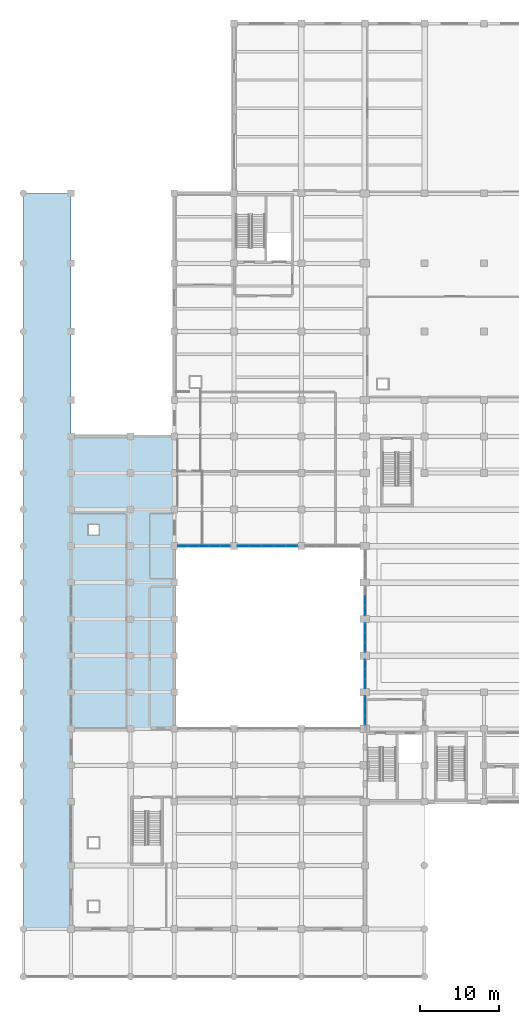
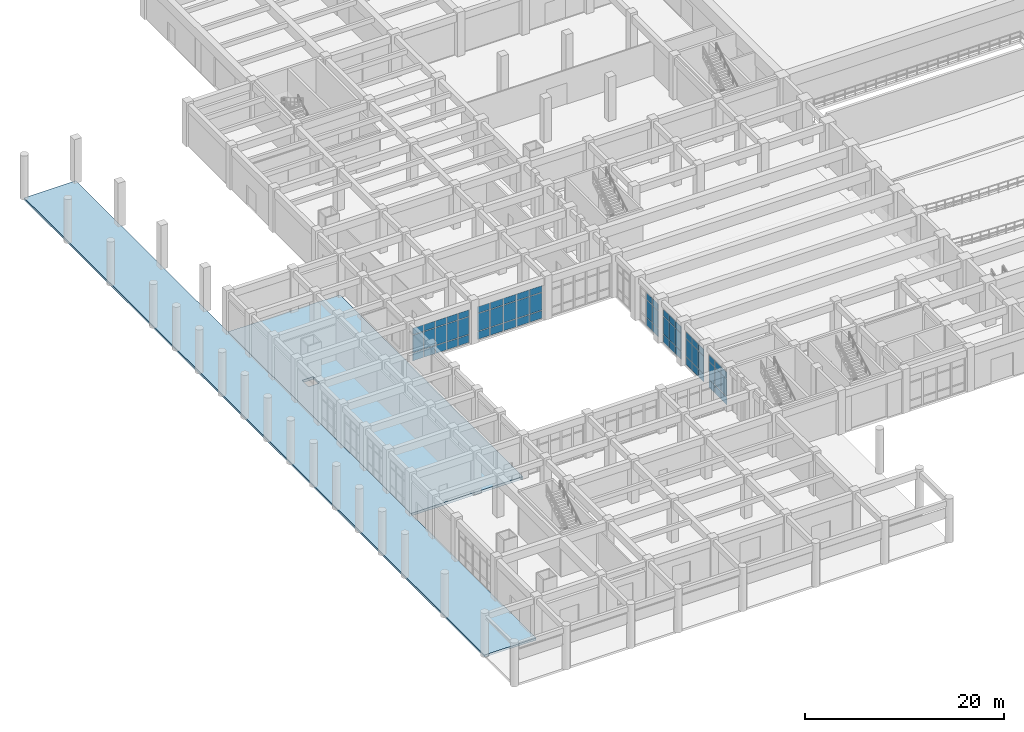
# One storey, part 54 of 84: 63 plates, 2 slabs, 6 elements without a shape of their own.
"""IFC4 building model written with IfcOpenShell, lengths in metres."""

from ifc_helpers import new_model, si_unit, direction, frame, origin, origin_2d, place, context, subcontext, project, spatial, polyline, rectangle, outline, extrude, material, layer, layer_set, type_object, element, aggregate, save


model = new_model("IFC4")

# Units and contexts
model_context = context("Model", 3, precision=1e-05, world=origin(), true_north=direction((0.0, 1.0)))
body_context = subcontext(model_context, "Body", "Model", "MODEL_VIEW")
ifc_project = project(units=[si_unit("LENGTHUNIT", "METRE"), si_unit("AREAUNIT", "SQUARE_METRE"), si_unit("VOLUMEUNIT", "CUBIC_METRE"), si_unit("PLANEANGLEUNIT", "RADIAN"), si_unit("MASSUNIT", "GRAM", prefix="KILO")], contexts=[model_context])

# Site, building, storey
site_placement = place(None, origin())
site = spatial("IfcSite", under=ifc_project, at=site_placement, CompositionType="ELEMENT")
building_placement = place(site_placement, origin())
building = spatial("IfcBuilding", under=site, at=building_placement, Name="Muzn Square Opera House", CompositionType="ELEMENT")
storey_placement = place(building_placement, origin())
storey = spatial("IfcBuildingStorey", under=building, at=storey_placement, Name="L00", CompositionType="ELEMENT", Elevation=0.0)

# Curtain wall, plates
ifc_material_1 = material(Name="Low-E laminated acoustic double glazing", Category="glass")
ifc_layer_1 = layer(ifc_material_1, 0.159912109375, Name="Low-E laminated acoustic double glazing", Category="glass")
ifc_layer_set_1 = layer_set([ifc_layer_1], Name="Low-E laminated acoustic double glazing")
curtain_wall_type_1 = type_object("IfcCurtainWallType", Name="Glazed Curtain Wall WestVaultCourt 3700x4150", PredefinedType="USERDEFINED", material=ifc_layer_set_1)
curtain_wall_1_placement = place(storey_placement, origin())
curtain_wall_1 = element("IfcCurtainWall", 1, at=curtain_wall_1_placement, inside=storey, type_object=curtain_wall_type_1, Name="Glazed Curtain Wall CW-L00-029", ObjectType="GLAZED CURTAIN WALL", PredefinedType="USERDEFINED")
ifc_layer_2 = layer(ifc_material_1, 0.035888671875, Name="Low-E laminated acoustic double glazing", Category="glass")
ifc_layer_set_2 = layer_set([ifc_layer_2], Name="Low-E laminated acoustic double glazing")
plate_type = type_object("IfcPlateType", Name="Curtain Wall Solar Glazed Panel 36mm", PredefinedType="CURTAIN_PANEL", material=ifc_layer_set_2)
plate_1_placement = place(storey_placement, frame((43.0, 32.2841796875, 0.06982421875), z_axis=(0.0, 0.0, 1.0), x_axis=(0.0, 1.0, 0.0)))
plate_1 = element("IfcPlate", 2, at=plate_1_placement, type_object=plate_type, Name="CW-WVC-37x41 panel 1.1", PredefinedType="CURTAIN_PANEL", context=body_context, shape_type="SweptSolid", body=[
    extrude(rectangle(XDim=1.12841796875, YDim=0.035888671875, at=origin_2d()), origin(), (0.0, 0.0, 1.0), 0.945068359375),
])
plate_2_placement = place(storey_placement, frame((43.0, 32.2841796875, 1.0849609375), z_axis=(0.0, 0.0, 1.0), x_axis=(0.0, 1.0, 0.0)))
plate_2 = element("IfcPlate", 3, at=plate_2_placement, type_object=plate_type, Name="CW-WVC-37x41 panel 1.2", PredefinedType="CURTAIN_PANEL", context=body_context, shape_type="SweptSolid", body=[
    extrude(rectangle(XDim=1.12841796875, YDim=0.035888671875, at=origin_2d()), origin(), (0.0, 0.0, 1.0), 2.1298828125),
])
plate_3_placement = place(storey_placement, frame((43.0, 32.2841796875, 3.28515625), z_axis=(0.0, 0.0, 1.0), x_axis=(0.0, 1.0, 0.0)))
plate_3 = element("IfcPlate", 4, at=plate_3_placement, type_object=plate_type, Name="CW-WVC-37x41 panel 1.3", PredefinedType="CURTAIN_PANEL", context=body_context, shape_type="SweptSolid", body=[
    extrude(rectangle(XDim=1.12841796875, YDim=0.035888671875, at=origin_2d()), origin(), (0.0, 0.0, 1.0), 0.794921875),
])
plate_4_placement = place(storey_placement, frame((43.0, 33.5, 0.06982421875), z_axis=(0.0, 0.0, 1.0), x_axis=(0.0, 1.0, 0.0)))
plate_4 = element("IfcPlate", 5, at=plate_4_placement, type_object=plate_type, Name="CW-WVC-37x41 panel 2.1", PredefinedType="CURTAIN_PANEL", context=body_context, shape_type="SweptSolid", body=[
    extrude(rectangle(XDim=1.163330078125, YDim=0.035888671875, at=origin_2d()), origin(), (0.0, 0.0, 1.0), 0.945068359375),
])
plate_5_placement = place(storey_placement, frame((43.0, 33.5, 1.0849609375), z_axis=(0.0, 0.0, 1.0), x_axis=(0.0, 1.0, 0.0)))
plate_5 = element("IfcPlate", 6, at=plate_5_placement, type_object=plate_type, Name="CW-WVC-37x41 panel 2.2", PredefinedType="CURTAIN_PANEL", context=body_context, shape_type="SweptSolid", body=[
    extrude(rectangle(XDim=1.163330078125, YDim=0.035888671875, at=origin_2d()), origin(), (0.0, 0.0, 1.0), 2.1298828125),
])
plate_6_placement = place(storey_placement, frame((43.0, 33.5, 3.28515625), z_axis=(0.0, 0.0, 1.0), x_axis=(0.0, 1.0, 0.0)))
plate_6 = element("IfcPlate", 7, at=plate_6_placement, type_object=plate_type, Name="CW-WVC-37x41 panel 2.3", PredefinedType="CURTAIN_PANEL", context=body_context, shape_type="SweptSolid", body=[
    extrude(rectangle(XDim=1.163330078125, YDim=0.035888671875, at=origin_2d()), origin(), (0.0, 0.0, 1.0), 0.794921875),
])
plate_7_placement = place(storey_placement, frame((43.0, 34.7158203125, 0.06982421875), z_axis=(0.0, 0.0, 1.0), x_axis=(0.0, 1.0, 0.0)))
plate_7 = element("IfcPlate", 8, at=plate_7_placement, type_object=plate_type, Name="CW-WVC-37x41 panel 3.1", PredefinedType="CURTAIN_PANEL", context=body_context, shape_type="SweptSolid", body=[
    extrude(rectangle(XDim=1.12841796875, YDim=0.035888671875, at=origin_2d()), origin(), (0.0, 0.0, 1.0), 0.945068359375),
])
plate_8_placement = place(storey_placement, frame((43.0, 34.7158203125, 1.0849609375), z_axis=(0.0, 0.0, 1.0), x_axis=(0.0, 1.0, 0.0)))
plate_8 = element("IfcPlate", 9, at=plate_8_placement, type_object=plate_type, Name="CW-WVC-37x41 panel 3.2", PredefinedType="CURTAIN_PANEL", context=body_context, shape_type="SweptSolid", body=[
    extrude(rectangle(XDim=1.12841796875, YDim=0.035888671875, at=origin_2d()), origin(), (0.0, 0.0, 1.0), 2.1298828125),
])
plate_9_placement = place(storey_placement, frame((43.0, 34.7158203125, 3.28515625), z_axis=(0.0, 0.0, 1.0), x_axis=(0.0, 1.0, 0.0)))
plate_9 = element("IfcPlate", 10, at=plate_9_placement, type_object=plate_type, Name="CW-WVC-37x41 panel 3.3", PredefinedType="CURTAIN_PANEL", context=body_context, shape_type="SweptSolid", body=[
    extrude(rectangle(XDim=1.12841796875, YDim=0.035888671875, at=origin_2d()), origin(), (0.0, 0.0, 1.0), 0.794921875),
])
aggregate(curtain_wall_1, [plate_1, plate_2, plate_3, plate_4, plate_5, plate_6, plate_7, plate_8, plate_9])

curtain_wall_2_placement = place(storey_placement, origin())
curtain_wall_2 = element("IfcCurtainWall", 11, at=curtain_wall_2_placement, inside=storey, type_object=curtain_wall_type_1, Name="Glazed Curtain Wall CW-L00-031", ObjectType="GLAZED CURTAIN WALL", PredefinedType="USERDEFINED")
plate_10_placement = place(storey_placement, frame((43.0, 36.88427734375, 0.06982421875), z_axis=(0.0, 0.0, 1.0), x_axis=(0.0, 1.0, 0.0)))
plate_10 = element("IfcPlate", 12, at=plate_10_placement, type_object=plate_type, Name="CW-WVC-37x41 panel 1.1", PredefinedType="CURTAIN_PANEL", context=body_context, shape_type="SweptSolid", body=[
    extrude(rectangle(XDim=1.12841796875, YDim=0.035888671875, at=origin_2d()), origin(), (0.0, 0.0, 1.0), 0.945068359375),
])
plate_11_placement = place(storey_placement, frame((43.0, 36.88427734375, 1.0849609375), z_axis=(0.0, 0.0, 1.0), x_axis=(0.0, 1.0, 0.0)))
plate_11 = element("IfcPlate", 13, at=plate_11_placement, type_object=plate_type, Name="CW-WVC-37x41 panel 1.2", PredefinedType="CURTAIN_PANEL", context=body_context, shape_type="SweptSolid", body=[
    extrude(rectangle(XDim=1.12841796875, YDim=0.035888671875, at=origin_2d()), origin(), (0.0, 0.0, 1.0), 2.1298828125),
])
plate_12_placement = place(storey_placement, frame((43.0, 36.88427734375, 3.28515625), z_axis=(0.0, 0.0, 1.0), x_axis=(0.0, 1.0, 0.0)))
plate_12 = element("IfcPlate", 14, at=plate_12_placement, type_object=plate_type, Name="CW-WVC-37x41 panel 1.3", PredefinedType="CURTAIN_PANEL", context=body_context, shape_type="SweptSolid", body=[
    extrude(rectangle(XDim=1.12841796875, YDim=0.035888671875, at=origin_2d()), origin(), (0.0, 0.0, 1.0), 0.794921875),
])
plate_13_placement = place(storey_placement, frame((43.0, 38.10009765625, 0.06982421875), z_axis=(0.0, 0.0, 1.0), x_axis=(0.0, 1.0, 0.0)))
plate_13 = element("IfcPlate", 15, at=plate_13_placement, type_object=plate_type, Name="CW-WVC-37x41 panel 2.1", PredefinedType="CURTAIN_PANEL", context=body_context, shape_type="SweptSolid", body=[
    extrude(rectangle(XDim=1.163330078125, YDim=0.035888671875, at=origin_2d()), origin(), (0.0, 0.0, 1.0), 0.945068359375),
])
plate_14_placement = place(storey_placement, frame((43.0, 38.10009765625, 1.0849609375), z_axis=(0.0, 0.0, 1.0), x_axis=(0.0, 1.0, 0.0)))
plate_14 = element("IfcPlate", 16, at=plate_14_placement, type_object=plate_type, Name="CW-WVC-37x41 panel 2.2", PredefinedType="CURTAIN_PANEL", context=body_context, shape_type="SweptSolid", body=[
    extrude(rectangle(XDim=1.163330078125, YDim=0.035888671875, at=origin_2d()), origin(), (0.0, 0.0, 1.0), 2.1298828125),
])
plate_15_placement = place(storey_placement, frame((43.0, 38.10009765625, 3.28515625), z_axis=(0.0, 0.0, 1.0), x_axis=(0.0, 1.0, 0.0)))
plate_15 = element("IfcPlate", 17, at=plate_15_placement, type_object=plate_type, Name="CW-WVC-37x41 panel 2.3", PredefinedType="CURTAIN_PANEL", context=body_context, shape_type="SweptSolid", body=[
    extrude(rectangle(XDim=1.163330078125, YDim=0.035888671875, at=origin_2d()), origin(), (0.0, 0.0, 1.0), 0.794921875),
])
plate_16_placement = place(storey_placement, frame((43.0, 39.31591796875, 0.06982421875), z_axis=(0.0, 0.0, 1.0), x_axis=(0.0, 1.0, 0.0)))
plate_16 = element("IfcPlate", 18, at=plate_16_placement, type_object=plate_type, Name="CW-WVC-37x41 panel 3.1", PredefinedType="CURTAIN_PANEL", context=body_context, shape_type="SweptSolid", body=[
    extrude(rectangle(XDim=1.12841796875, YDim=0.035888671875, at=origin_2d()), origin(), (0.0, 0.0, 1.0), 0.945068359375),
])
plate_17_placement = place(storey_placement, frame((43.0, 39.31591796875, 1.0849609375), z_axis=(0.0, 0.0, 1.0), x_axis=(0.0, 1.0, 0.0)))
plate_17 = element("IfcPlate", 19, at=plate_17_placement, type_object=plate_type, Name="CW-WVC-37x41 panel 3.2", PredefinedType="CURTAIN_PANEL", context=body_context, shape_type="SweptSolid", body=[
    extrude(rectangle(XDim=1.12841796875, YDim=0.035888671875, at=origin_2d()), origin(), (0.0, 0.0, 1.0), 2.1298828125),
])
plate_18_placement = place(storey_placement, frame((43.0, 39.31591796875, 3.28515625), z_axis=(0.0, 0.0, 1.0), x_axis=(0.0, 1.0, 0.0)))
plate_18 = element("IfcPlate", 20, at=plate_18_placement, type_object=plate_type, Name="CW-WVC-37x41 panel 3.3", PredefinedType="CURTAIN_PANEL", context=body_context, shape_type="SweptSolid", body=[
    extrude(rectangle(XDim=1.12841796875, YDim=0.035888671875, at=origin_2d()), origin(), (0.0, 0.0, 1.0), 0.794921875),
])
aggregate(curtain_wall_2, [plate_10, plate_11, plate_12, plate_13, plate_14, plate_15, plate_16, plate_17, plate_18])

curtain_wall_3_placement = place(storey_placement, origin())
curtain_wall_3 = element("IfcCurtainWall", 21, at=curtain_wall_3_placement, inside=storey, type_object=curtain_wall_type_1, Name="Glazed Curtain Wall CW-L00-033", ObjectType="GLAZED CURTAIN WALL", PredefinedType="USERDEFINED")
plate_19_placement = place(storey_placement, frame((43.0, 41.484130859375, 0.06982421875), z_axis=(0.0, 0.0, 1.0), x_axis=(0.0, 1.0, 0.0)))
plate_19 = element("IfcPlate", 22, at=plate_19_placement, type_object=plate_type, Name="CW-WVC-37x41 panel 1.1", PredefinedType="CURTAIN_PANEL", context=body_context, shape_type="SweptSolid", body=[
    extrude(rectangle(XDim=1.12841796875, YDim=0.035888671875, at=origin_2d()), origin(), (0.0, 0.0, 1.0), 0.945068359375),
])
plate_20_placement = place(storey_placement, frame((43.0, 41.484130859375, 1.0849609375), z_axis=(0.0, 0.0, 1.0), x_axis=(0.0, 1.0, 0.0)))
plate_20 = element("IfcPlate", 23, at=plate_20_placement, type_object=plate_type, Name="CW-WVC-37x41 panel 1.2", PredefinedType="CURTAIN_PANEL", context=body_context, shape_type="SweptSolid", body=[
    extrude(rectangle(XDim=1.12841796875, YDim=0.035888671875, at=origin_2d()), origin(), (0.0, 0.0, 1.0), 2.1298828125),
])
plate_21_placement = place(storey_placement, frame((43.0, 41.484130859375, 3.28515625), z_axis=(0.0, 0.0, 1.0), x_axis=(0.0, 1.0, 0.0)))
plate_21 = element("IfcPlate", 24, at=plate_21_placement, type_object=plate_type, Name="CW-WVC-37x41 panel 1.3", PredefinedType="CURTAIN_PANEL", context=body_context, shape_type="SweptSolid", body=[
    extrude(rectangle(XDim=1.12841796875, YDim=0.035888671875, at=origin_2d()), origin(), (0.0, 0.0, 1.0), 0.794921875),
])
plate_22_placement = place(storey_placement, frame((43.0, 42.699951171875, 0.06982421875), z_axis=(0.0, 0.0, 1.0), x_axis=(0.0, 1.0, 0.0)))
plate_22 = element("IfcPlate", 25, at=plate_22_placement, type_object=plate_type, Name="CW-WVC-37x41 panel 2.1", PredefinedType="CURTAIN_PANEL", context=body_context, shape_type="SweptSolid", body=[
    extrude(rectangle(XDim=1.163330078125, YDim=0.035888671875, at=origin_2d()), origin(), (0.0, 0.0, 1.0), 0.945068359375),
])
plate_23_placement = place(storey_placement, frame((43.0, 42.699951171875, 1.0849609375), z_axis=(0.0, 0.0, 1.0), x_axis=(0.0, 1.0, 0.0)))
plate_23 = element("IfcPlate", 26, at=plate_23_placement, type_object=plate_type, Name="CW-WVC-37x41 panel 2.2", PredefinedType="CURTAIN_PANEL", context=body_context, shape_type="SweptSolid", body=[
    extrude(rectangle(XDim=1.163330078125, YDim=0.035888671875, at=origin_2d()), origin(), (0.0, 0.0, 1.0), 2.1298828125),
])
plate_24_placement = place(storey_placement, frame((43.0, 42.699951171875, 3.28515625), z_axis=(0.0, 0.0, 1.0), x_axis=(0.0, 1.0, 0.0)))
plate_24 = element("IfcPlate", 27, at=plate_24_placement, type_object=plate_type, Name="CW-WVC-37x41 panel 2.3", PredefinedType="CURTAIN_PANEL", context=body_context, shape_type="SweptSolid", body=[
    extrude(rectangle(XDim=1.163330078125, YDim=0.035888671875, at=origin_2d()), origin(), (0.0, 0.0, 1.0), 0.794921875),
])
plate_25_placement = place(storey_placement, frame((43.0, 43.915771484375, 0.06982421875), z_axis=(0.0, 0.0, 1.0), x_axis=(0.0, 1.0, 0.0)))
plate_25 = element("IfcPlate", 28, at=plate_25_placement, type_object=plate_type, Name="CW-WVC-37x41 panel 3.1", PredefinedType="CURTAIN_PANEL", context=body_context, shape_type="SweptSolid", body=[
    extrude(rectangle(XDim=1.12841796875, YDim=0.035888671875, at=origin_2d()), origin(), (0.0, 0.0, 1.0), 0.945068359375),
])
plate_26_placement = place(storey_placement, frame((43.0, 43.915771484375, 1.0849609375), z_axis=(0.0, 0.0, 1.0), x_axis=(0.0, 1.0, 0.0)))
plate_26 = element("IfcPlate", 29, at=plate_26_placement, type_object=plate_type, Name="CW-WVC-37x41 panel 3.2", PredefinedType="CURTAIN_PANEL", context=body_context, shape_type="SweptSolid", body=[
    extrude(rectangle(XDim=1.12841796875, YDim=0.035888671875, at=origin_2d()), origin(), (0.0, 0.0, 1.0), 2.1298828125),
])
plate_27_placement = place(storey_placement, frame((43.0, 43.915771484375, 3.28515625), z_axis=(0.0, 0.0, 1.0), x_axis=(0.0, 1.0, 0.0)))
plate_27 = element("IfcPlate", 30, at=plate_27_placement, type_object=plate_type, Name="CW-WVC-37x41 panel 3.3", PredefinedType="CURTAIN_PANEL", context=body_context, shape_type="SweptSolid", body=[
    extrude(rectangle(XDim=1.12841796875, YDim=0.035888671875, at=origin_2d()), origin(), (0.0, 0.0, 1.0), 0.794921875),
])
aggregate(curtain_wall_3, [plate_19, plate_20, plate_21, plate_22, plate_23, plate_24, plate_25, plate_26, plate_27])

curtain_wall_4_placement = place(storey_placement, origin())
curtain_wall_4 = element("IfcCurtainWall", 31, at=curtain_wall_4_placement, inside=storey, type_object=curtain_wall_type_1, Name="Glazed Curtain Wall CW-L00-035", ObjectType="GLAZED CURTAIN WALL", PredefinedType="USERDEFINED")
plate_28_placement = place(storey_placement, frame((43.0, 46.084228515625, 0.06982421875), z_axis=(0.0, 0.0, 1.0), x_axis=(0.0, 1.0, 0.0)))
plate_28 = element("IfcPlate", 32, at=plate_28_placement, type_object=plate_type, Name="CW-WVC-37x41 panel 1.1", PredefinedType="CURTAIN_PANEL", context=body_context, shape_type="SweptSolid", body=[
    extrude(rectangle(XDim=1.12841796875, YDim=0.035888671875, at=origin_2d()), origin(), (0.0, 0.0, 1.0), 0.945068359375),
])
plate_29_placement = place(storey_placement, frame((43.0, 46.084228515625, 1.0849609375), z_axis=(0.0, 0.0, 1.0), x_axis=(0.0, 1.0, 0.0)))
plate_29 = element("IfcPlate", 33, at=plate_29_placement, type_object=plate_type, Name="CW-WVC-37x41 panel 1.2", PredefinedType="CURTAIN_PANEL", context=body_context, shape_type="SweptSolid", body=[
    extrude(rectangle(XDim=1.12841796875, YDim=0.035888671875, at=origin_2d()), origin(), (0.0, 0.0, 1.0), 2.1298828125),
])
plate_30_placement = place(storey_placement, frame((43.0, 46.084228515625, 3.28515625), z_axis=(0.0, 0.0, 1.0), x_axis=(0.0, 1.0, 0.0)))
plate_30 = element("IfcPlate", 34, at=plate_30_placement, type_object=plate_type, Name="CW-WVC-37x41 panel 1.3", PredefinedType="CURTAIN_PANEL", context=body_context, shape_type="SweptSolid", body=[
    extrude(rectangle(XDim=1.12841796875, YDim=0.035888671875, at=origin_2d()), origin(), (0.0, 0.0, 1.0), 0.794921875),
])
plate_31_placement = place(storey_placement, frame((43.0, 47.300048828125, 0.06982421875), z_axis=(0.0, 0.0, 1.0), x_axis=(0.0, 1.0, 0.0)))
plate_31 = element("IfcPlate", 35, at=plate_31_placement, type_object=plate_type, Name="CW-WVC-37x41 panel 2.1", PredefinedType="CURTAIN_PANEL", context=body_context, shape_type="SweptSolid", body=[
    extrude(rectangle(XDim=1.163330078125, YDim=0.035888671875, at=origin_2d()), origin(), (0.0, 0.0, 1.0), 0.945068359375),
])
plate_32_placement = place(storey_placement, frame((43.0, 47.300048828125, 1.0849609375), z_axis=(0.0, 0.0, 1.0), x_axis=(0.0, 1.0, 0.0)))
plate_32 = element("IfcPlate", 36, at=plate_32_placement, type_object=plate_type, Name="CW-WVC-37x41 panel 2.2", PredefinedType="CURTAIN_PANEL", context=body_context, shape_type="SweptSolid", body=[
    extrude(rectangle(XDim=1.163330078125, YDim=0.035888671875, at=origin_2d()), origin(), (0.0, 0.0, 1.0), 2.1298828125),
])
plate_33_placement = place(storey_placement, frame((43.0, 47.300048828125, 3.28515625), z_axis=(0.0, 0.0, 1.0), x_axis=(0.0, 1.0, 0.0)))
plate_33 = element("IfcPlate", 37, at=plate_33_placement, type_object=plate_type, Name="CW-WVC-37x41 panel 2.3", PredefinedType="CURTAIN_PANEL", context=body_context, shape_type="SweptSolid", body=[
    extrude(rectangle(XDim=1.163330078125, YDim=0.035888671875, at=origin_2d()), origin(), (0.0, 0.0, 1.0), 0.794921875),
])
aggregate(curtain_wall_4, [plate_28, plate_29, plate_30, plate_31, plate_32, plate_33])

ifc_layer_3 = layer(ifc_material_1, 0.159912109375, Name="Low-E laminated acoustic double glazing", Category="glass")
ifc_layer_set_3 = layer_set([ifc_layer_3], Name="Low-E laminated acoustic double glazing")
curtain_wall_type_2 = type_object("IfcCurtainWallType", Name="Glazed Curtain Wall WestCloisterN 6650x4150", PredefinedType="USERDEFINED", material=ifc_layer_set_3)
curtain_wall_5_placement = place(storey_placement, origin())
curtain_wall_5 = element("IfcCurtainWall", 38, at=curtain_wall_5_placement, inside=storey, type_object=curtain_wall_type_2, Name="Glazed Curtain Wall CW-L00-070", ObjectType="GLAZED CURTAIN WALL", PredefinedType="USERDEFINED")
plate_34_placement = place(storey_placement, frame((20.107421875, 54.199951171875, 0.06982421875), z_axis=(0.0, 0.0, 1.0), x_axis=(1.0, 0.0, 0.0)))
plate_34 = element("IfcPlate", 39, at=plate_34_placement, type_object=plate_type, Name="CW-WCN-66x41 panel 1.1", PredefinedType="CURTAIN_PANEL", context=body_context, shape_type="SweptSolid", body=[
    extrude(rectangle(XDim=1.22509765625, YDim=0.035888671875, at=origin_2d()), origin(), (0.0, 0.0, 1.0), 0.945068359375),
])
plate_35_placement = place(storey_placement, frame((20.107421875, 54.199951171875, 1.0849609375), z_axis=(0.0, 0.0, 1.0), x_axis=(1.0, 0.0, 0.0)))
plate_35 = element("IfcPlate", 40, at=plate_35_placement, type_object=plate_type, Name="CW-WCN-66x41 panel 1.2", PredefinedType="CURTAIN_PANEL", context=body_context, shape_type="SweptSolid", body=[
    extrude(rectangle(XDim=1.22509765625, YDim=0.035888671875, at=origin_2d()), origin(), (0.0, 0.0, 1.0), 2.1298828125),
])
plate_36_placement = place(storey_placement, frame((20.107421875, 54.199951171875, 3.28515625), z_axis=(0.0, 0.0, 1.0), x_axis=(1.0, 0.0, 0.0)))
plate_36 = element("IfcPlate", 41, at=plate_36_placement, type_object=plate_type, Name="CW-WCN-66x41 panel 1.3", PredefinedType="CURTAIN_PANEL", context=body_context, shape_type="SweptSolid", body=[
    extrude(rectangle(XDim=1.22509765625, YDim=0.035888671875, at=origin_2d()), origin(), (0.0, 0.0, 1.0), 0.794921875),
])
plate_37_placement = place(storey_placement, frame((21.419921875, 54.199951171875, 0.06982421875), z_axis=(0.0, 0.0, 1.0), x_axis=(1.0, 0.0, 0.0)))
plate_37 = element("IfcPlate", 42, at=plate_37_placement, type_object=plate_type, Name="CW-WCN-66x41 panel 2.1", PredefinedType="CURTAIN_PANEL", context=body_context, shape_type="SweptSolid", body=[
    extrude(rectangle(XDim=1.260009765625, YDim=0.035888671875, at=origin_2d()), origin(), (0.0, 0.0, 1.0), 0.945068359375),
])
plate_38_placement = place(storey_placement, frame((21.419921875, 54.199951171875, 1.0849609375), z_axis=(0.0, 0.0, 1.0), x_axis=(1.0, 0.0, 0.0)))
plate_38 = element("IfcPlate", 43, at=plate_38_placement, type_object=plate_type, Name="CW-WCN-66x41 panel 2.2", PredefinedType="CURTAIN_PANEL", context=body_context, shape_type="SweptSolid", body=[
    extrude(rectangle(XDim=1.260009765625, YDim=0.035888671875, at=origin_2d()), origin(), (0.0, 0.0, 1.0), 2.1298828125),
])
plate_39_placement = place(storey_placement, frame((21.419921875, 54.199951171875, 3.28515625), z_axis=(0.0, 0.0, 1.0), x_axis=(1.0, 0.0, 0.0)))
plate_39 = element("IfcPlate", 44, at=plate_39_placement, type_object=plate_type, Name="CW-WCN-66x41 panel 2.3", PredefinedType="CURTAIN_PANEL", context=body_context, shape_type="SweptSolid", body=[
    extrude(rectangle(XDim=1.260009765625, YDim=0.035888671875, at=origin_2d()), origin(), (0.0, 0.0, 1.0), 0.794921875),
])
plate_40_placement = place(storey_placement, frame((22.75, 54.199951171875, 0.06982421875), z_axis=(0.0, 0.0, 1.0), x_axis=(1.0, 0.0, 0.0)))
plate_40 = element("IfcPlate", 45, at=plate_40_placement, type_object=plate_type, Name="CW-WCN-66x41 panel 3.1", PredefinedType="CURTAIN_PANEL", context=body_context, shape_type="SweptSolid", body=[
    extrude(rectangle(XDim=1.260009765625, YDim=0.035888671875, at=origin_2d()), origin(), (0.0, 0.0, 1.0), 0.945068359375),
])
plate_41_placement = place(storey_placement, frame((22.75, 54.199951171875, 1.0849609375), z_axis=(0.0, 0.0, 1.0), x_axis=(1.0, 0.0, 0.0)))
plate_41 = element("IfcPlate", 46, at=plate_41_placement, type_object=plate_type, Name="CW-WCN-66x41 panel 3.2", PredefinedType="CURTAIN_PANEL", context=body_context, shape_type="SweptSolid", body=[
    extrude(rectangle(XDim=1.260009765625, YDim=0.035888671875, at=origin_2d()), origin(), (0.0, 0.0, 1.0), 2.1298828125),
])
plate_42_placement = place(storey_placement, frame((22.75, 54.199951171875, 3.28515625), z_axis=(0.0, 0.0, 1.0), x_axis=(1.0, 0.0, 0.0)))
plate_42 = element("IfcPlate", 47, at=plate_42_placement, type_object=plate_type, Name="CW-WCN-66x41 panel 3.3", PredefinedType="CURTAIN_PANEL", context=body_context, shape_type="SweptSolid", body=[
    extrude(rectangle(XDim=1.260009765625, YDim=0.035888671875, at=origin_2d()), origin(), (0.0, 0.0, 1.0), 0.794921875),
])
plate_43_placement = place(storey_placement, frame((24.080078125, 54.199951171875, 0.06982421875), z_axis=(0.0, 0.0, 1.0), x_axis=(1.0, 0.0, 0.0)))
plate_43 = element("IfcPlate", 48, at=plate_43_placement, type_object=plate_type, Name="CW-WCN-66x41 panel 4.1", PredefinedType="CURTAIN_PANEL", context=body_context, shape_type="SweptSolid", body=[
    extrude(rectangle(XDim=1.260009765625, YDim=0.035888671875, at=origin_2d()), origin(), (0.0, 0.0, 1.0), 0.945068359375),
])
plate_44_placement = place(storey_placement, frame((24.080078125, 54.199951171875, 1.0849609375), z_axis=(0.0, 0.0, 1.0), x_axis=(1.0, 0.0, 0.0)))
plate_44 = element("IfcPlate", 49, at=plate_44_placement, type_object=plate_type, Name="CW-WCN-66x41 panel 4.2", PredefinedType="CURTAIN_PANEL", context=body_context, shape_type="SweptSolid", body=[
    extrude(rectangle(XDim=1.260009765625, YDim=0.035888671875, at=origin_2d()), origin(), (0.0, 0.0, 1.0), 2.1298828125),
])
plate_45_placement = place(storey_placement, frame((24.080078125, 54.199951171875, 3.28515625), z_axis=(0.0, 0.0, 1.0), x_axis=(1.0, 0.0, 0.0)))
plate_45 = element("IfcPlate", 50, at=plate_45_placement, type_object=plate_type, Name="CW-WCN-66x41 panel 4.3", PredefinedType="CURTAIN_PANEL", context=body_context, shape_type="SweptSolid", body=[
    extrude(rectangle(XDim=1.260009765625, YDim=0.035888671875, at=origin_2d()), origin(), (0.0, 0.0, 1.0), 0.794921875),
])
plate_46_placement = place(storey_placement, frame((25.392578125, 54.199951171875, 0.06982421875), z_axis=(0.0, 0.0, 1.0), x_axis=(1.0, 0.0, 0.0)))
plate_46 = element("IfcPlate", 51, at=plate_46_placement, type_object=plate_type, Name="CW-WCN-66x41 panel 5.1", PredefinedType="CURTAIN_PANEL", context=body_context, shape_type="SweptSolid", body=[
    extrude(rectangle(XDim=1.22509765625, YDim=0.035888671875, at=origin_2d()), origin(), (0.0, 0.0, 1.0), 0.945068359375),
])
plate_47_placement = place(storey_placement, frame((25.392578125, 54.199951171875, 1.0849609375), z_axis=(0.0, 0.0, 1.0), x_axis=(1.0, 0.0, 0.0)))
plate_47 = element("IfcPlate", 52, at=plate_47_placement, type_object=plate_type, Name="CW-WCN-66x41 panel 5.2", PredefinedType="CURTAIN_PANEL", context=body_context, shape_type="SweptSolid", body=[
    extrude(rectangle(XDim=1.22509765625, YDim=0.035888671875, at=origin_2d()), origin(), (0.0, 0.0, 1.0), 2.1298828125),
])
plate_48_placement = place(storey_placement, frame((25.392578125, 54.199951171875, 3.28515625), z_axis=(0.0, 0.0, 1.0), x_axis=(1.0, 0.0, 0.0)))
plate_48 = element("IfcPlate", 53, at=plate_48_placement, type_object=plate_type, Name="CW-WCN-66x41 panel 5.3", PredefinedType="CURTAIN_PANEL", context=body_context, shape_type="SweptSolid", body=[
    extrude(rectangle(XDim=1.22509765625, YDim=0.035888671875, at=origin_2d()), origin(), (0.0, 0.0, 1.0), 0.794921875),
])
aggregate(curtain_wall_5, [plate_34, plate_35, plate_36, plate_37, plate_38, plate_39, plate_40, plate_41, plate_42, plate_43, plate_44, plate_45, plate_46, plate_47, plate_48])

ifc_layer_4 = layer(ifc_material_1, 0.159912109375, Name="Low-E laminated acoustic double glazing", Category="glass")
ifc_layer_set_4 = layer_set([ifc_layer_4], Name="Low-E laminated acoustic double glazing")
curtain_wall_type_3 = type_object("IfcCurtainWallType", Name="Glazed Curtain Wall WestCloisterN 7650x4150", PredefinedType="USERDEFINED", material=ifc_layer_set_4)
curtain_wall_6_placement = place(storey_placement, origin())
curtain_wall_6 = element("IfcCurtainWall", 54, at=curtain_wall_6_placement, inside=storey, type_object=curtain_wall_type_3, Name="Glazed Curtain Wall CW-L00-072", ObjectType="GLAZED CURTAIN WALL", PredefinedType="USERDEFINED")
plate_49_placement = place(storey_placement, frame((27.70751953125, 54.199951171875, 0.06982421875), z_axis=(0.0, 0.0, 1.0), x_axis=(1.0, 0.0, 0.0)))
plate_49 = element("IfcPlate", 55, at=plate_49_placement, type_object=plate_type, Name="CW-WCN-76x41 panel 1.1", PredefinedType="CURTAIN_PANEL", context=body_context, shape_type="SweptSolid", body=[
    extrude(rectangle(XDim=1.425048828125, YDim=0.035888671875, at=origin_2d()), origin(), (0.0, 0.0, 1.0), 0.945068359375),
])
plate_50_placement = place(storey_placement, frame((27.70751953125, 54.199951171875, 1.0849609375), z_axis=(0.0, 0.0, 1.0), x_axis=(1.0, 0.0, 0.0)))
plate_50 = element("IfcPlate", 56, at=plate_50_placement, type_object=plate_type, Name="CW-WCN-76x41 panel 1.2", PredefinedType="CURTAIN_PANEL", context=body_context, shape_type="SweptSolid", body=[
    extrude(rectangle(XDim=1.425048828125, YDim=0.035888671875, at=origin_2d()), origin(), (0.0, 0.0, 1.0), 2.1298828125),
])
plate_51_placement = place(storey_placement, frame((27.70751953125, 54.199951171875, 3.28515625), z_axis=(0.0, 0.0, 1.0), x_axis=(1.0, 0.0, 0.0)))
plate_51 = element("IfcPlate", 57, at=plate_51_placement, type_object=plate_type, Name="CW-WCN-76x41 panel 1.3", PredefinedType="CURTAIN_PANEL", context=body_context, shape_type="SweptSolid", body=[
    extrude(rectangle(XDim=1.425048828125, YDim=0.035888671875, at=origin_2d()), origin(), (0.0, 0.0, 1.0), 0.794921875),
])
plate_52_placement = place(storey_placement, frame((29.219970703125, 54.199951171875, 0.06982421875), z_axis=(0.0, 0.0, 1.0), x_axis=(1.0, 0.0, 0.0)))
plate_52 = element("IfcPlate", 58, at=plate_52_placement, type_object=plate_type, Name="CW-WCN-76x41 panel 2.1", PredefinedType="CURTAIN_PANEL", context=body_context, shape_type="SweptSolid", body=[
    extrude(rectangle(XDim=1.4599609375, YDim=0.035888671875, at=origin_2d()), origin(), (0.0, 0.0, 1.0), 0.945068359375),
])
plate_53_placement = place(storey_placement, frame((29.219970703125, 54.199951171875, 1.0849609375), z_axis=(0.0, 0.0, 1.0), x_axis=(1.0, 0.0, 0.0)))
plate_53 = element("IfcPlate", 59, at=plate_53_placement, type_object=plate_type, Name="CW-WCN-76x41 panel 2.2", PredefinedType="CURTAIN_PANEL", context=body_context, shape_type="SweptSolid", body=[
    extrude(rectangle(XDim=1.4599609375, YDim=0.035888671875, at=origin_2d()), origin(), (0.0, 0.0, 1.0), 2.1298828125),
])
plate_54_placement = place(storey_placement, frame((29.219970703125, 54.199951171875, 3.28515625), z_axis=(0.0, 0.0, 1.0), x_axis=(1.0, 0.0, 0.0)))
plate_54 = element("IfcPlate", 60, at=plate_54_placement, type_object=plate_type, Name="CW-WCN-76x41 panel 2.3", PredefinedType="CURTAIN_PANEL", context=body_context, shape_type="SweptSolid", body=[
    extrude(rectangle(XDim=1.4599609375, YDim=0.035888671875, at=origin_2d()), origin(), (0.0, 0.0, 1.0), 0.794921875),
])
plate_55_placement = place(storey_placement, frame((30.75, 54.199951171875, 0.06982421875), z_axis=(0.0, 0.0, 1.0), x_axis=(1.0, 0.0, 0.0)))
plate_55 = element("IfcPlate", 61, at=plate_55_placement, type_object=plate_type, Name="CW-WCN-76x41 panel 3.1", PredefinedType="CURTAIN_PANEL", context=body_context, shape_type="SweptSolid", body=[
    extrude(rectangle(XDim=1.4599609375, YDim=0.035888671875, at=origin_2d()), origin(), (0.0, 0.0, 1.0), 0.945068359375),
])
plate_56_placement = place(storey_placement, frame((30.75, 54.199951171875, 1.0849609375), z_axis=(0.0, 0.0, 1.0), x_axis=(1.0, 0.0, 0.0)))
plate_56 = element("IfcPlate", 62, at=plate_56_placement, type_object=plate_type, Name="CW-WCN-76x41 panel 3.2", PredefinedType="CURTAIN_PANEL", context=body_context, shape_type="SweptSolid", body=[
    extrude(rectangle(XDim=1.4599609375, YDim=0.035888671875, at=origin_2d()), origin(), (0.0, 0.0, 1.0), 2.1298828125),
])
plate_57_placement = place(storey_placement, frame((30.75, 54.199951171875, 3.28515625), z_axis=(0.0, 0.0, 1.0), x_axis=(1.0, 0.0, 0.0)))
plate_57 = element("IfcPlate", 63, at=plate_57_placement, type_object=plate_type, Name="CW-WCN-76x41 panel 3.3", PredefinedType="CURTAIN_PANEL", context=body_context, shape_type="SweptSolid", body=[
    extrude(rectangle(XDim=1.4599609375, YDim=0.035888671875, at=origin_2d()), origin(), (0.0, 0.0, 1.0), 0.794921875),
])
plate_58_placement = place(storey_placement, frame((32.280029296875, 54.199951171875, 0.06982421875), z_axis=(0.0, 0.0, 1.0), x_axis=(1.0, 0.0, 0.0)))
plate_58 = element("IfcPlate", 64, at=plate_58_placement, type_object=plate_type, Name="CW-WCN-76x41 panel 4.1", PredefinedType="CURTAIN_PANEL", context=body_context, shape_type="SweptSolid", body=[
    extrude(rectangle(XDim=1.4599609375, YDim=0.035888671875, at=origin_2d()), origin(), (0.0, 0.0, 1.0), 0.945068359375),
])
plate_59_placement = place(storey_placement, frame((32.280029296875, 54.199951171875, 1.0849609375), z_axis=(0.0, 0.0, 1.0), x_axis=(1.0, 0.0, 0.0)))
plate_59 = element("IfcPlate", 65, at=plate_59_placement, type_object=plate_type, Name="CW-WCN-76x41 panel 4.2", PredefinedType="CURTAIN_PANEL", context=body_context, shape_type="SweptSolid", body=[
    extrude(rectangle(XDim=1.4599609375, YDim=0.035888671875, at=origin_2d()), origin(), (0.0, 0.0, 1.0), 2.1298828125),
])
plate_60_placement = place(storey_placement, frame((32.280029296875, 54.199951171875, 3.28515625), z_axis=(0.0, 0.0, 1.0), x_axis=(1.0, 0.0, 0.0)))
plate_60 = element("IfcPlate", 66, at=plate_60_placement, type_object=plate_type, Name="CW-WCN-76x41 panel 4.3", PredefinedType="CURTAIN_PANEL", context=body_context, shape_type="SweptSolid", body=[
    extrude(rectangle(XDim=1.4599609375, YDim=0.035888671875, at=origin_2d()), origin(), (0.0, 0.0, 1.0), 0.794921875),
])
plate_61_placement = place(storey_placement, frame((33.79248046875, 54.199951171875, 0.06982421875), z_axis=(0.0, 0.0, 1.0), x_axis=(1.0, 0.0, 0.0)))
plate_61 = element("IfcPlate", 67, at=plate_61_placement, type_object=plate_type, Name="CW-WCN-76x41 panel 5.1", PredefinedType="CURTAIN_PANEL", context=body_context, shape_type="SweptSolid", body=[
    extrude(rectangle(XDim=1.425048828125, YDim=0.035888671875, at=origin_2d()), origin(), (0.0, 0.0, 1.0), 0.945068359375),
])
plate_62_placement = place(storey_placement, frame((33.79248046875, 54.199951171875, 1.0849609375), z_axis=(0.0, 0.0, 1.0), x_axis=(1.0, 0.0, 0.0)))
plate_62 = element("IfcPlate", 68, at=plate_62_placement, type_object=plate_type, Name="CW-WCN-76x41 panel 5.2", PredefinedType="CURTAIN_PANEL", context=body_context, shape_type="SweptSolid", body=[
    extrude(rectangle(XDim=1.425048828125, YDim=0.035888671875, at=origin_2d()), origin(), (0.0, 0.0, 1.0), 2.1298828125),
])
plate_63_placement = place(storey_placement, frame((33.79248046875, 54.199951171875, 3.28515625), z_axis=(0.0, 0.0, 1.0), x_axis=(1.0, 0.0, 0.0)))
plate_63 = element("IfcPlate", 69, at=plate_63_placement, type_object=plate_type, Name="CW-WCN-76x41 panel 5.3", PredefinedType="CURTAIN_PANEL", context=body_context, shape_type="SweptSolid", body=[
    extrude(rectangle(XDim=1.425048828125, YDim=0.035888671875, at=origin_2d()), origin(), (0.0, 0.0, 1.0), 0.794921875),
])
aggregate(curtain_wall_6, [plate_49, plate_50, plate_51, plate_52, plate_53, plate_54, plate_55, plate_56, plate_57, plate_58, plate_59, plate_60, plate_61, plate_62, plate_63])

# Slabs
ifc_material_2 = material(Name="Concrete C40/50", Category="concrete")
ifc_layer_5 = layer(ifc_material_2, 0.320068359375, Name="Concrete C40/50", Category="concrete")
ifc_layer_set_5 = layer_set([ifc_layer_5], Name="Concrete C40/50")
slab_type_1 = type_object("IfcSlabType", Name="Floor Slab 320mm", PredefinedType="FLOOR", material=ifc_layer_set_5)
slab_1_placement = place(storey_placement, frame((0.0, 0.0, -0.320068359375)))
element("IfcSlab", 70, at=slab_1_placement, inside=storey, type_object=slab_type_1, Name="Floor Slab SLB-L00-WOUTER", PredefinedType="FLOOR", context=body_context, shape_type="SweptSolid", body=[
    extrude(outline(polyline([(6.0, 31.199951171875), (19.0, 31.199951171875), (19.0, 68.0), (6.0, 68.0), (6.0, 31.199951171875)]), holes=[polyline([(8.199951171875, 55.60009765625), (9.5, 55.60009765625), (9.5, 56.89990234375), (8.199951171875, 56.89990234375), (8.199951171875, 55.60009765625)])]), origin(), (0.0, 0.0, 1.0), 0.320068359375),
])
ifc_layer_6 = layer(ifc_material_2, 0.260009765625, Name="Concrete C40/50", Category="concrete")
ifc_layer_set_6 = layer_set([ifc_layer_6], Name="Concrete C40/50")
slab_type_2 = type_object("IfcSlabType", Name="Terrace Slab 260mm", PredefinedType="FLOOR", material=ifc_layer_set_6)
slab_2_placement = place(storey_placement, frame((0.0, 0.0, -0.260009765625)))
element("IfcSlab", 71, at=slab_2_placement, inside=storey, type_object=slab_type_2, Name="Outdoor Terrace Slab EXT-L00-COL-WB", PredefinedType="FLOOR", context=body_context, shape_type="SweptSolid", body=[
    extrude(outline(polyline([(0.0, 6.0), (6.0, 6.0), (6.0, 98.60009765625), (0.0, 98.60009765625), (0.0, 6.0)])), origin(), (0.0, 0.0, 1.0), 0.260009765625),
])

save(model, "model.ifc")
